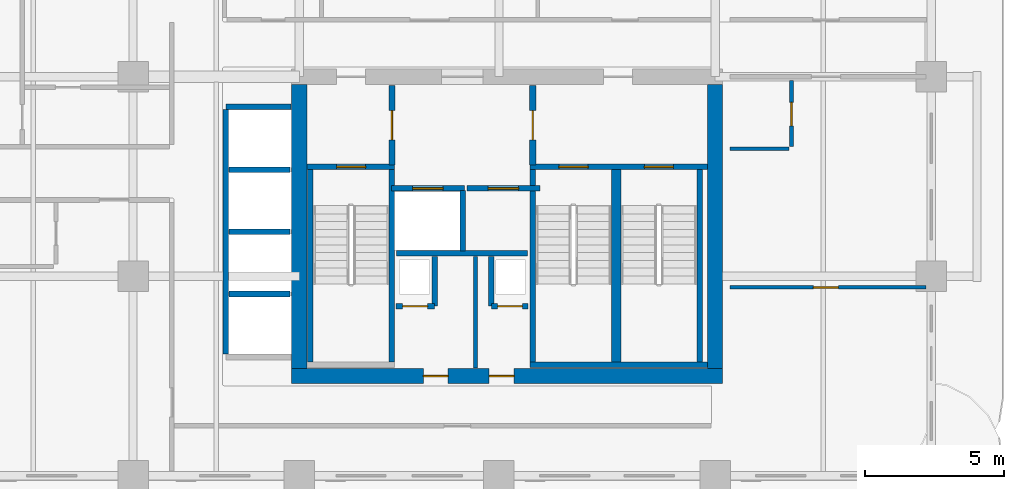
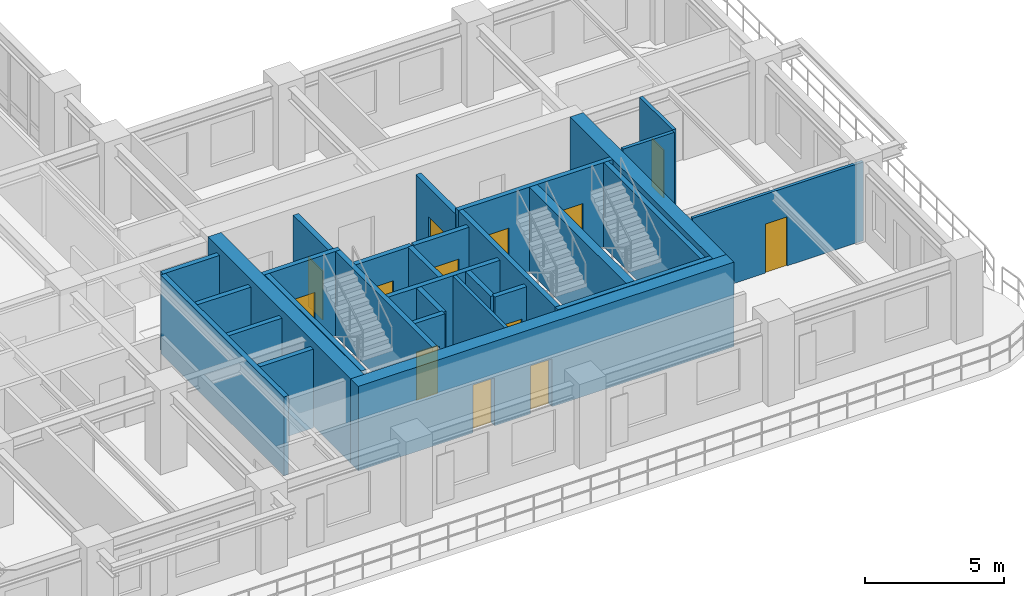
# One storey, part 14 of 22: 30 walls, 13 doors, 13 openings.
"""IFC4 building model written with IfcOpenShell, lengths in metres."""

from ifc_helpers import new_model, si_unit, derived_unit, direction, frame, frame_2d, origin, place, context, subcontext, project, spatial, rectangle, extrude, source, transform, mapped, material, layer, layer_set, type_object, type_shapes, element, fill, save


model = new_model("IFC4")

# Units and contexts
model_context = context("Model", 3, precision=1e-05, world=origin(), true_north=direction((0.0, 1.0)))
body_context = subcontext(model_context, "Body", "Model", "MODEL_VIEW")
ifc_project = project(units=[si_unit("LENGTHUNIT", "METRE"), si_unit("AREAUNIT", "SQUARE_METRE"), si_unit("VOLUMEUNIT", "CUBIC_METRE"), si_unit("PLANEANGLEUNIT", "RADIAN"), si_unit("MASSUNIT", "GRAM", prefix="KILO"), si_unit("THERMODYNAMICTEMPERATUREUNIT", "KELVIN"), si_unit("POWERUNIT", "WATT"), derived_unit("THERMALTRANSMITTANCEUNIT", [(si_unit("POWERUNIT", "WATT"), 1), (si_unit("AREAUNIT", "SQUARE_METRE"), -1), (si_unit("THERMODYNAMICTEMPERATUREUNIT", "KELVIN"), -1)])], contexts=[model_context])

# Site, building, storey
site_placement = place(None, origin())
site = spatial("IfcSite", under=ifc_project, at=site_placement, CompositionType="ELEMENT")
building_placement = place(site_placement, origin())
building = spatial("IfcBuilding", under=site, at=building_placement, Name="Zahravan Archway Hotel and Residences", CompositionType="ELEMENT")
storey_placement = place(building_placement, frame((0.0, 0.0, 84.199951171875)))
storey = spatial("IfcBuildingStorey", under=building, at=storey_placement, Name="L20", CompositionType="ELEMENT", Elevation=84.199951171875)

# Wall, openings, doors
ifc_material_1 = material(Name="Concrete C70/85", Category="concrete")
ifc_layer_1 = layer(ifc_material_1, 0.550048828125, Name="Concrete C70/85", Category="concrete")
ifc_layer_set_1 = layer_set([ifc_layer_1], Name="Concrete C70/85")
wall_type_1 = type_object("IfcWallType", Name="CW-CORE-550", PredefinedType="SHEAR", material=ifc_layer_set_1)
wall_1_placement = place(storey_placement, frame((34.52490234375, 3.60009765625, 0.0), z_axis=(0.0, 0.0, 1.0), x_axis=(1.0, 0.0, 0.0)))
wall_1 = element("IfcWall", 1, at=wall_1_placement, inside=storey, type_object=wall_type_1, Name="L20 Core A Shear S Wall 550 mm", PredefinedType="SHEAR", context=body_context, shape_type="SweptSolid", body=[
    extrude(rectangle(XDim=15.550048828125, YDim=0.550048828125, at=frame_2d((7.77490234375, 0.0))), origin(), (0.0, 0.0, 1.0), 3.699951171875),
])
opening_1_placement = place(wall_1_placement, frame((4.7451171875, 0.0, 0.0)))
opening_1 = element("IfcOpeningElement", 2, at=opening_1_placement, cuts=wall_1, Name="Opening FD-R1", PredefinedType="OPENING", context=body_context, shape_type="SweptSolid", body=[
    extrude(rectangle(XDim=0.89990234375, YDim=2.10009765625, at=frame_2d((0.449951171875, 1.050048828125))), frame((0.0, 0.28515625, 0.0), z_axis=(0.0, -1.0, 0.0), x_axis=(1.0, 0.0, 0.0)), (0.0, 0.0, 1.0), 0.570068359375),
])
opening_2_placement = place(wall_1_placement, frame((7.125, 0.0, 0.0)))
opening_2 = element("IfcOpeningElement", 3, at=opening_2_placement, cuts=wall_1, Name="Opening FD-R1", PredefinedType="OPENING", context=body_context, shape_type="SweptSolid", body=[
    extrude(rectangle(XDim=0.89990234375, YDim=2.10009765625, at=frame_2d((0.449951171875, 1.050048828125))), frame((0.0, 0.28515625, 0.0), z_axis=(0.0, -1.0, 0.0), x_axis=(1.0, 0.0, 0.0)), (0.0, 0.0, 1.0), 0.570068359375),
])
ifc_material_2 = material(Name="Fire-Rated Painted Steel", Category="steel")
door_type_1 = type_object("IfcDoorType", Name="FD-RISER-900", OperationType="NOTDEFINED", PredefinedType="DOOR", material=ifc_material_2)
shared_shape_1 = source(origin(), body_context, "Body", "SweptSolid", [
    extrude(rectangle(XDim=0.89990234375, YDim=2.10009765625, at=frame_2d((0.449951171875, 1.050048828125))), frame((0.0, 0.02490234375, 0.0), z_axis=(0.0, -1.0, 0.0), x_axis=(1.0, 0.0, 0.0)), (0.0, 0.0, 1.0), 0.050048828125),
])
type_shapes(door_type_1, [shared_shape_1])
door_1_placement = place(opening_1_placement, origin())
door_1 = element("IfcDoor", 4, at=door_1_placement, inside=storey, type_object=door_type_1, Name="L20 Fan Room Door", OperationType="SINGLE_SWING_LEFT", OverallHeight=2.10009765625, OverallWidth=0.89990234375, PredefinedType="DOOR", context=body_context, shape_type="MappedRepresentation", body=[
    mapped(shared_shape_1, transform((0.0, 0.0, 0.0), scale=1.0)),
])
fill(opening_1, door_1)
door_2_placement = place(opening_2_placement, origin())
door_2 = element("IfcDoor", 5, at=door_2_placement, inside=storey, type_object=door_type_1, Name="L20 Sub-Meter Cupboard Door", OperationType="SINGLE_SWING_RIGHT", OverallHeight=2.10009765625, OverallWidth=0.89990234375, PredefinedType="DOOR", context=body_context, shape_type="MappedRepresentation", body=[
    mapped(shared_shape_1, transform((0.0, 0.0, 0.0), scale=1.0)),
])
fill(opening_2, door_2)

# Walls
for number, where, z_axis, x_axis, name in (
    (6, (34.800048828125, 3.875, 0.0), (0.0, 0.0, 1.0), (0.0, 1.0, 0.0), "L20 Core A Shear W Wall 550 mm"),
    (7, (49.800048828125, 3.875, 0.0), (0.0, 0.0, 1.0), (0.0, 1.0, 0.0), "L20 Core A Shear E Wall 550 mm"),
):
    element("IfcWall", number, at=place(storey_placement, frame(where, z_axis=z_axis, x_axis=x_axis)), inside=storey, type_object=wall_type_1, Name=name, PredefinedType="SHEAR", context=body_context, shape_type="SweptSolid", body=[
        extrude(rectangle(XDim=10.25, YDim=0.550048828125, at=frame_2d((5.125, 0.0))), origin(), (0.0, 0.0, 1.0), 3.699951171875),
    ])

# Wall, opening, door
ifc_material_3 = material(Name="Fire-Rated Gypsum & Concrete Block", Category="concrete")
ifc_layer_2 = layer(ifc_material_3, 0.219970703125, Name="Fire-Rated Gypsum & Concrete Block", Category="concrete")
ifc_layer_set_2 = layer_set([ifc_layer_2], Name="Fire-Rated Gypsum & Concrete Block")
wall_type_2 = type_object("IfcWallType", Name="PW-COMP-220", PredefinedType="PARTITIONING", material=ifc_layer_set_2)
wall_2_placement = place(storey_placement, frame((38.139892578125, 11.219970703125, 0.0), z_axis=(0.0, 0.0, 1.0), x_axis=(0.0, 1.0, 0.0)))
wall_2 = element("IfcWall", 8, at=wall_2_placement, inside=storey, type_object=wall_type_2, Name="L20 Partition CA-LOBW", PredefinedType="PARTITIONING", context=body_context, shape_type="SweptSolid", body=[
    extrude(rectangle(XDim=2.860107421875, YDim=0.219970703125, at=frame_2d((1.43017578125, 0.0))), origin(), (0.0, 0.0, 1.0), 3.449951171875),
])
opening_3_placement = place(wall_2_placement, frame((0.905029296875, 0.0, 0.0)))
opening_3 = element("IfcOpeningElement", 9, at=opening_3_placement, cuts=wall_2, Name="Opening FD-L2", PredefinedType="OPENING", context=body_context, shape_type="SweptSolid", body=[
    extrude(rectangle(XDim=1.050048828125, YDim=2.14990234375, at=frame_2d((0.52490234375, 1.074951171875))), frame((0.0, 0.1201171875, 0.0), z_axis=(0.0, -1.0, 0.0), x_axis=(1.0, 0.0, 0.0)), (0.0, 0.0, 1.0), 0.239990234375),
])
door_type_2 = type_object("IfcDoorType", Name="FD-LOBBY-1100", OperationType="NOTDEFINED", PredefinedType="DOOR", material=ifc_material_2)
shared_shape_2 = source(origin(), body_context, "Body", "SweptSolid", [
    extrude(rectangle(XDim=1.050048828125, YDim=2.14990234375, at=frame_2d((0.52490234375, 1.074951171875))), frame((0.0, 0.02490234375, 0.0), z_axis=(0.0, -1.0, 0.0), x_axis=(1.0, 0.0, 0.0)), (0.0, 0.0, 1.0), 0.050048828125),
])
type_shapes(door_type_2, [shared_shape_2])
door_3_placement = place(opening_3_placement, origin())
door_3 = element("IfcDoor", 10, at=door_3_placement, inside=storey, type_object=door_type_2, Name="L20 Core A West Stair to FSAE Lobby Door", OperationType="SINGLE_SWING_LEFT", OverallHeight=2.14990234375, OverallWidth=1.050048828125, PredefinedType="DOOR", context=body_context, shape_type="MappedRepresentation", body=[
    mapped(shared_shape_2, transform((0.0, 0.0, 0.0), scale=1.0)),
])
fill(opening_3, door_3)

wall_3_placement = place(storey_placement, frame((43.219970703125, 11.219970703125, 0.0), z_axis=(0.0, 0.0, 1.0), x_axis=(0.0, 1.0, 0.0)))
wall_3 = element("IfcWall", 11, at=wall_3_placement, inside=storey, type_object=wall_type_2, Name="L20 Partition CA-LOBE", PredefinedType="PARTITIONING", context=body_context, shape_type="SweptSolid", body=[
    extrude(rectangle(XDim=2.860107421875, YDim=0.219970703125, at=frame_2d((1.43017578125, 0.0))), origin(), (0.0, 0.0, 1.0), 3.449951171875),
])
opening_4_placement = place(wall_3_placement, frame((0.905029296875, 0.0, 0.0)))
opening_4 = element("IfcOpeningElement", 12, at=opening_4_placement, cuts=wall_3, Name="Opening FD-L2", PredefinedType="OPENING", context=body_context, shape_type="SweptSolid", body=[
    extrude(rectangle(XDim=1.050048828125, YDim=2.14990234375, at=frame_2d((0.52490234375, 1.074951171875))), frame((0.0, 0.1201171875, 0.0), z_axis=(0.0, -1.0, 0.0), x_axis=(1.0, 0.0, 0.0)), (0.0, 0.0, 1.0), 0.239990234375),
])
door_4_placement = place(opening_4_placement, origin())
door_4 = element("IfcDoor", 13, at=door_4_placement, inside=storey, type_object=door_type_2, Name="L20 Core A East Stair to FSAE Lobby Door", OperationType="SINGLE_SWING_RIGHT", OverallHeight=2.14990234375, OverallWidth=1.050048828125, PredefinedType="DOOR", context=body_context, shape_type="MappedRepresentation", body=[
    mapped(shared_shape_2, transform((0.0, 0.0, 0.0), scale=1.0)),
])
fill(opening_4, door_4)

ifc_material_4 = material(Name="Acoustic Stud Partition")
ifc_layer_3 = layer(ifc_material_4, 0.125, Name="Acoustic Stud Partition")
ifc_layer_set_3 = layer_set([ifc_layer_3], Name="Acoustic Stud Partition")
wall_type_3 = type_object("IfcWallType", Name="PW-INT-125", PredefinedType="PARTITIONING", material=ifc_layer_set_3)
wall_4_placement = place(storey_placement, frame((50.340087890625, 6.800048828125, 0.0), z_axis=(0.0, 0.0, 1.0), x_axis=(1.0, 0.0, 0.0)))
wall_4 = element("IfcWall", 14, at=wall_4_placement, inside=storey, type_object=wall_type_3, Name="L20 Partition EA-PM", PredefinedType="PARTITIONING", context=body_context, shape_type="SweptSolid", body=[
    extrude(rectangle(XDim=7.06982421875, YDim=0.125, at=frame_2d((3.534912109375, 0.0))), origin(), (0.0, 0.0, 1.0), 3.449951171875),
])
opening_5_placement = place(wall_4_placement, frame((3.010009765625, 0.0, 0.0)))
opening_5 = element("IfcOpeningElement", 15, at=opening_5_placement, cuts=wall_4, Name="Opening D-I2", PredefinedType="OPENING", context=body_context, shape_type="SweptSolid", body=[
    extrude(rectangle(XDim=0.89990234375, YDim=2.14990234375, at=frame_2d((0.449951171875, 1.074951171875))), frame((0.0, 0.072509765625, 0.0), z_axis=(0.0, -1.0, 0.0), x_axis=(1.0, 0.0, 0.0)), (0.0, 0.0, 1.0), 0.14501953125),
])
ifc_material_5 = material(Name="Hardwood Veneer Timber", Category="wood")
door_type_3 = type_object("IfcDoorType", Name="ID-INT-900", OperationType="NOTDEFINED", PredefinedType="DOOR", material=ifc_material_5)
shared_shape_3 = source(origin(), body_context, "Body", "SweptSolid", [
    extrude(rectangle(XDim=0.89990234375, YDim=2.14990234375, at=frame_2d((0.449951171875, 1.074951171875))), frame((0.0, 0.02490234375, 0.0), z_axis=(0.0, -1.0, 0.0), x_axis=(1.0, 0.0, 0.0)), (0.0, 0.0, 1.0), 0.050048828125),
])
type_shapes(door_type_3, [shared_shape_3])
door_5_placement = place(opening_5_placement, origin())
door_5 = element("IfcDoor", 16, at=door_5_placement, inside=storey, type_object=door_type_3, Name="L20 East Suite Bedroom Door", OperationType="SINGLE_SWING_LEFT", OverallHeight=2.14990234375, OverallWidth=0.89990234375, PredefinedType="DOOR", context=body_context, shape_type="MappedRepresentation", body=[
    mapped(shared_shape_3, transform((0.0, 0.0, 0.0), scale=1.0)),
])
fill(opening_5, door_5)

# Walls
ifc_layer_4 = layer(ifc_material_3, 0.199951171875, Name="Fire-Rated Gypsum & Concrete Block", Category="concrete")
ifc_layer_set_4 = layer_set([ifc_layer_4], Name="Fire-Rated Gypsum & Concrete Block")
wall_type_4 = type_object("IfcWallType", Name="PW-SHAFT-200", PredefinedType="PARTITIONING", material=ifc_layer_set_4)
wall_5_placement = place(storey_placement, frame((38.300048828125, 8.030029296875, 0.0), z_axis=(0.0, 0.0, 1.0), x_axis=(1.0, 0.0, 0.0)))
element("IfcWall", 17, at=wall_5_placement, inside=storey, type_object=wall_type_4, Name="L20 Partition CA-FLS", PredefinedType="PARTITIONING", context=body_context, shape_type="SweptSolid", body=[
    extrude(rectangle(XDim=4.739990234375, YDim=0.199951171875, at=frame_2d((2.3701171875, 0.0))), origin(), (0.0, 0.0, 1.0), 3.449951171875),
])
wall_6_placement = place(storey_placement, frame((40.699951171875, 8.1201171875, 0.0), z_axis=(0.0, 0.0, 1.0), x_axis=(0.0, 1.0, 0.0)))
element("IfcWall", 18, at=wall_6_placement, inside=storey, type_object=wall_type_4, Name="L20 Partition CA-FLM", PredefinedType="PARTITIONING", context=body_context, shape_type="SweptSolid", body=[
    extrude(rectangle(XDim=2.179931640625, YDim=0.199951171875, at=frame_2d((1.08984375, 0.0))), origin(), (0.0, 0.0, 1.0), 3.449951171875),
])

# Wall, opening, door
wall_7_placement = place(storey_placement, frame((38.2900390625, 6.1201171875, 0.0), z_axis=(0.0, 0.0, 1.0), x_axis=(1.0, 0.0, 0.0)))
wall_7 = element("IfcWall", 19, at=wall_7_placement, inside=storey, type_object=wall_type_4, Name="L20 Partition CA-SMKS", PredefinedType="PARTITIONING", context=body_context, shape_type="SweptSolid", body=[
    extrude(rectangle(XDim=1.3798828125, YDim=0.199951171875, at=frame_2d((0.68994140625, 0.0))), origin(), (0.0, 0.0, 1.0), 3.449951171875),
])
opening_6_placement = place(wall_7_placement, frame((0.239990234375, 0.0, 0.0)))
opening_6 = element("IfcOpeningElement", 20, at=opening_6_placement, cuts=wall_7, Name="Opening FD-R1", PredefinedType="OPENING", context=body_context, shape_type="SweptSolid", body=[
    extrude(rectangle(XDim=0.89990234375, YDim=2.10009765625, at=frame_2d((0.449951171875, 1.050048828125))), frame((0.0, 0.10986328125, 0.0), z_axis=(0.0, -1.0, 0.0), x_axis=(1.0, 0.0, 0.0)), (0.0, 0.0, 1.0), 0.219970703125),
])
door_6_placement = place(opening_6_placement, origin())
door_6 = element("IfcDoor", 21, at=door_6_placement, inside=storey, type_object=door_type_1, Name="L20 Smoke Riser Access Door", OperationType="SINGLE_SWING_LEFT", OverallHeight=2.10009765625, OverallWidth=0.89990234375, PredefinedType="DOOR", context=body_context, shape_type="MappedRepresentation", body=[
    mapped(shared_shape_1, transform((0.0, 0.0, 0.0), scale=1.0)),
])
fill(opening_6, door_6)

# Wall
wall_8_placement = place(storey_placement, frame((39.679931640625, 6.1298828125, 0.0), z_axis=(0.0, 0.0, 1.0), x_axis=(0.0, 1.0, 0.0)))
element("IfcWall", 22, at=wall_8_placement, inside=storey, type_object=wall_type_4, Name="L20 Partition CA-SMKE", PredefinedType="PARTITIONING", context=body_context, shape_type="SweptSolid", body=[
    extrude(rectangle(XDim=1.7900390625, YDim=0.199951171875, at=frame_2d((0.89501953125, 0.0))), origin(), (0.0, 0.0, 1.0), 3.449951171875),
])

# Wall, opening, door
wall_9_placement = place(storey_placement, frame((41.72998046875, 6.1201171875, 0.0), z_axis=(0.0, 0.0, 1.0), x_axis=(1.0, 0.0, 0.0)))
wall_9 = element("IfcWall", 23, at=wall_9_placement, inside=storey, type_object=wall_type_4, Name="L20 Partition CA-MEPS", PredefinedType="PARTITIONING", context=body_context, shape_type="SweptSolid", body=[
    extrude(rectangle(XDim=1.320068359375, YDim=0.199951171875, at=frame_2d((0.66015625, 0.0))), origin(), (0.0, 0.0, 1.0), 3.449951171875),
])
opening_7_placement = place(wall_9_placement, frame((0.219970703125, 0.0, 0.0)))
opening_7 = element("IfcOpeningElement", 24, at=opening_7_placement, cuts=wall_9, Name="Opening FD-R1", PredefinedType="OPENING", context=body_context, shape_type="SweptSolid", body=[
    extrude(rectangle(XDim=0.89990234375, YDim=2.10009765625, at=frame_2d((0.449951171875, 1.050048828125))), frame((0.0, 0.10986328125, 0.0), z_axis=(0.0, -1.0, 0.0), x_axis=(1.0, 0.0, 0.0)), (0.0, 0.0, 1.0), 0.219970703125),
])
door_7_placement = place(opening_7_placement, origin())
door_7 = element("IfcDoor", 25, at=door_7_placement, inside=storey, type_object=door_type_1, Name="L20 MEP Riser Access Door", OperationType="SINGLE_SWING_RIGHT", OverallHeight=2.10009765625, OverallWidth=0.89990234375, PredefinedType="DOOR", context=body_context, shape_type="MappedRepresentation", body=[
    mapped(shared_shape_1, transform((0.0, 0.0, 0.0), scale=1.0)),
])
fill(opening_7, door_7)

# Walls
wall_10_placement = place(storey_placement, frame((41.719970703125, 6.1298828125, 0.0), z_axis=(0.0, 0.0, 1.0), x_axis=(0.0, 1.0, 0.0)))
element("IfcWall", 26, at=wall_10_placement, inside=storey, type_object=wall_type_4, Name="L20 Partition CA-MEPW", PredefinedType="PARTITIONING", context=body_context, shape_type="SweptSolid", body=[
    extrude(rectangle(XDim=1.7900390625, YDim=0.199951171875, at=frame_2d((0.89501953125, 0.0))), origin(), (0.0, 0.0, 1.0), 3.449951171875),
])
wall_11_placement = place(storey_placement, frame((32.159912109375, 13.320068359375, 0.0), z_axis=(0.0, 0.0, 1.0), x_axis=(1.0, 0.0, 0.0)))
element("IfcWall", 27, at=wall_11_placement, inside=storey, type_object=wall_type_4, Name="L20 Partition B3-N", PredefinedType="PARTITIONING", context=body_context, shape_type="SweptSolid", body=[
    extrude(rectangle(XDim=2.335205078125, YDim=0.199951171875, at=frame_2d((1.16748046875, 0.0))), origin(), (0.0, 0.0, 1.0), 3.449951171875),
])
wall_12_placement = place(storey_placement, frame((32.14990234375, 4.389892578125, 0.0), z_axis=(0.0, 0.0, 1.0), x_axis=(0.0, 1.0, 0.0)))
element("IfcWall", 28, at=wall_12_placement, inside=storey, type_object=wall_type_4, Name="L20 Partition B3-W", PredefinedType="PARTITIONING", context=body_context, shape_type="SweptSolid", body=[
    extrude(rectangle(XDim=8.820068359375, YDim=0.199951171875, at=frame_2d((4.41015625, 0.0))), origin(), (0.0, 0.0, 1.0), 3.449951171875),
])
for number, where, z_axis, x_axis, name in (
    (29, (32.260009765625, 6.56005859375, 0.0), (0.0, 0.0, 1.0), (1.0, 0.0, 0.0), "L20 Partition B3-D"),
    (30, (32.260009765625, 8.800048828125, 0.0), (0.0, 0.0, 1.0), (1.0, 0.0, 0.0), "L20 Partition B3-D"),
    (31, (32.260009765625, 11.0400390625, 0.0), (0.0, 0.0, 1.0), (1.0, 0.0, 0.0), "L20 Partition B3-D"),
):
    element("IfcWall", number, at=place(storey_placement, frame(where, z_axis=z_axis, x_axis=x_axis)), inside=storey, type_object=wall_type_4, Name=name, PredefinedType="PARTITIONING", context=body_context, shape_type="SweptSolid", body=[
        extrude(rectangle(XDim=2.205078125, YDim=0.199951171875, at=frame_2d((1.1025390625, 0.0))), origin(), (0.0, 0.0, 1.0), 3.449951171875),
    ])

# Wall, opening, door
wall_13_placement = place(storey_placement, frame((38.1201171875, 10.3701171875, 0.0), z_axis=(0.0, 0.0, 1.0), x_axis=(1.0, 0.0, 0.0)))
wall_13 = element("IfcWall", 32, at=wall_13_placement, inside=storey, type_object=wall_type_4, Name="L20 Lift FL-1 Front Wall", PredefinedType="PARTITIONING", context=body_context, shape_type="SweptSolid", body=[
    extrude(rectangle(XDim=2.639892578125, YDim=0.199951171875, at=frame_2d((1.31982421875, 0.0))), origin(), (0.0, 0.0, 1.0), 3.449951171875),
])
opening_8_placement = place(wall_13_placement, frame((0.77001953125, 0.0, 0.0)))
opening_8 = element("IfcOpeningElement", 33, at=opening_8_placement, cuts=wall_13, Name="Opening LD", PredefinedType="OPENING", context=body_context, shape_type="SweptSolid", body=[
    extrude(rectangle(XDim=1.10009765625, YDim=2.199951171875, at=frame_2d((0.550048828125, 1.10009765625))), frame((0.0, 0.10986328125, 0.0), z_axis=(0.0, -1.0, 0.0), x_axis=(1.0, 0.0, 0.0)), (0.0, 0.0, 1.0), 0.219970703125),
])
ifc_material_6 = material(Name="Brushed Stainless Steel", Category="steel")
door_type_4 = type_object("IfcDoorType", Name="DR-LIFT-LD", OperationType="SLIDING_TO_LEFT", PredefinedType="DOOR", material=ifc_material_6)
shared_shape_4 = source(origin(), body_context, "Body", "SweptSolid", [
    extrude(rectangle(XDim=1.10009765625, YDim=2.199951171875, at=frame_2d((0.550048828125, 1.10009765625))), frame((0.0, 0.02490234375, 0.0), z_axis=(0.0, -1.0, 0.0), x_axis=(1.0, 0.0, 0.0)), (0.0, 0.0, 1.0), 0.050048828125),
])
type_shapes(door_type_4, [shared_shape_4])
door_8_placement = place(opening_8_placement, origin())
door_8 = element("IfcDoor", 34, at=door_8_placement, inside=storey, type_object=door_type_4, Name="L20 Lift FL-1 Sliding Landing Door", OperationType="SLIDING_TO_LEFT", OverallHeight=2.199951171875, OverallWidth=1.10009765625, PredefinedType="DOOR", context=body_context, shape_type="MappedRepresentation", body=[
    mapped(shared_shape_4, transform((0.0, 0.0, 0.0), scale=1.0)),
])
fill(opening_8, door_8)

wall_14_placement = place(storey_placement, frame((40.840087890625, 10.3701171875, 0.0), z_axis=(0.0, 0.0, 1.0), x_axis=(1.0, 0.0, 0.0)))
wall_14 = element("IfcWall", 35, at=wall_14_placement, inside=storey, type_object=wall_type_4, Name="L20 Lift FL-2 Front Wall", PredefinedType="PARTITIONING", context=body_context, shape_type="SweptSolid", body=[
    extrude(rectangle(XDim=2.639892578125, YDim=0.199951171875, at=frame_2d((1.31982421875, 0.0))), origin(), (0.0, 0.0, 1.0), 3.449951171875),
])
opening_9_placement = place(wall_14_placement, frame((0.77001953125, 0.0, 0.0)))
opening_9 = element("IfcOpeningElement", 36, at=opening_9_placement, cuts=wall_14, Name="Opening LD", PredefinedType="OPENING", context=body_context, shape_type="SweptSolid", body=[
    extrude(rectangle(XDim=1.10009765625, YDim=2.199951171875, at=frame_2d((0.550048828125, 1.10009765625))), frame((0.0, 0.10986328125, 0.0), z_axis=(0.0, -1.0, 0.0), x_axis=(1.0, 0.0, 0.0)), (0.0, 0.0, 1.0), 0.219970703125),
])
door_9_placement = place(opening_9_placement, origin())
door_9 = element("IfcDoor", 37, at=door_9_placement, inside=storey, type_object=door_type_4, Name="L20 Lift FL-2 Sliding Landing Door", OperationType="SLIDING_TO_LEFT", OverallHeight=2.199951171875, OverallWidth=1.10009765625, PredefinedType="DOOR", context=body_context, shape_type="MappedRepresentation", body=[
    mapped(shared_shape_4, transform((0.0, 0.0, 0.0), scale=1.0)),
])
fill(opening_9, door_9)

# Wall
ifc_material_7 = material(Name="Moisture-Resistant Blockwork", Category="masonry")
ifc_layer_5 = layer(ifc_material_7, 0.139892578125, Name="Moisture-Resistant Blockwork", Category="masonry")
ifc_layer_set_5 = layer_set([ifc_layer_5], Name="Moisture-Resistant Blockwork")
wall_type_5 = type_object("IfcWallType", Name="PW-WET-140", PredefinedType="PARTITIONING", material=ifc_layer_set_5)
wall_15_placement = place(storey_placement, frame((41.14990234375, 3.89501953125, 0.0), z_axis=(0.0, 0.0, 1.0), x_axis=(0.0, 1.0, 0.0)))
element("IfcWall", 38, at=wall_15_placement, inside=storey, type_object=wall_type_5, Name="L20 Partition CA-CV2V", PredefinedType="PARTITIONING", context=body_context, shape_type="SweptSolid", body=[
    extrude(rectangle(XDim=4.014892578125, YDim=0.139892578125, at=frame_2d((2.00732421875, 0.0))), origin(), (0.0, 0.0, 1.0), 3.449951171875),
])

# Wall, opening, door
wall_16_placement = place(storey_placement, frame((52.550048828125, 11.889892578125, 0.0), z_axis=(0.0, 0.0, 1.0), x_axis=(0.0, 1.0, 0.0)))
wall_16 = element("IfcWall", 39, at=wall_16_placement, inside=storey, type_object=wall_type_5, Name="L20 Partition EA-PBV", PredefinedType="PARTITIONING", context=body_context, shape_type="SweptSolid", body=[
    extrude(rectangle(XDim=2.3701171875, YDim=0.139892578125, at=frame_2d((1.18505859375, 0.0))), origin(), (0.0, 0.0, 1.0), 3.449951171875),
])
opening_10_placement = place(wall_16_placement, frame((0.735107421875, 0.0, 0.0)))
opening_10 = element("IfcOpeningElement", 40, at=opening_10_placement, cuts=wall_16, Name="Opening D-B1", PredefinedType="OPENING", context=body_context, shape_type="SweptSolid", body=[
    extrude(rectangle(XDim=0.85009765625, YDim=2.10009765625, at=frame_2d((0.425048828125, 1.050048828125))), frame((0.0, 0.080078125, 0.0), z_axis=(0.0, -1.0, 0.0), x_axis=(1.0, 0.0, 0.0)), (0.0, 0.0, 1.0), 0.159912109375),
])
door_type_5 = type_object("IfcDoorType", Name="ID-BATH-850", OperationType="NOTDEFINED", PredefinedType="DOOR", material=ifc_material_5)
shared_shape_5 = source(origin(), body_context, "Body", "SweptSolid", [
    extrude(rectangle(XDim=0.85009765625, YDim=2.10009765625, at=frame_2d((0.425048828125, 1.050048828125))), frame((0.0, 0.02490234375, 0.0), z_axis=(0.0, -1.0, 0.0), x_axis=(1.0, 0.0, 0.0)), (0.0, 0.0, 1.0), 0.050048828125),
])
type_shapes(door_type_5, [shared_shape_5])
door_10_placement = place(opening_10_placement, origin())
door_10 = element("IfcDoor", 41, at=door_10_placement, inside=storey, type_object=door_type_5, Name="L20 East Suite En-Suite Door", OperationType="SINGLE_SWING_RIGHT", OverallHeight=2.10009765625, OverallWidth=0.85009765625, PredefinedType="DOOR", context=body_context, shape_type="MappedRepresentation", body=[
    mapped(shared_shape_5, transform((0.0, 0.0, 0.0), scale=1.0)),
])
fill(opening_10, door_10)

# Walls
wall_17_placement = place(storey_placement, frame((50.340087890625, 11.800048828125, 0.0), z_axis=(0.0, 0.0, 1.0), x_axis=(1.0, 0.0, 0.0)))
element("IfcWall", 42, at=wall_17_placement, inside=storey, type_object=wall_type_5, Name="L20 Partition EA-PBH", PredefinedType="PARTITIONING", context=body_context, shape_type="SweptSolid", body=[
    extrude(rectangle(XDim=2.119873046875, YDim=0.139892578125, at=frame_2d((1.06005859375, 0.0))), origin(), (0.0, 0.0, 1.0), 3.449951171875),
])
ifc_material_8 = material(Name="Concrete C50/60", Category="concrete")
ifc_layer_6 = layer(ifc_material_8, 0.199951171875, Name="Concrete C50/60", Category="concrete")
ifc_layer_set_6 = layer_set([ifc_layer_6], Name="Concrete C50/60")
wall_type_6 = type_object("IfcWallType", Name="SW-STAIR-200", PredefinedType="SHEAR", material=ifc_layer_set_6)
for number, where, z_axis, x_axis, name in (
    (43, (35.199951171875, 4.10009765625, 0.0), (0.0, 0.0, 1.0), (0.0, 1.0, 0.0), "L20 Stairwell RC Wall CA-SA1W"),
    (44, (38.139892578125, 4.10009765625, 0.0), (0.0, 0.0, 1.0), (0.0, 1.0, 0.0), "L20 Stairwell RC Wall CA-SA1E"),
):
    element("IfcWall", number, at=place(storey_placement, frame(where, z_axis=z_axis, x_axis=x_axis)), inside=storey, type_object=wall_type_6, Name=name, PredefinedType="SHEAR", context=body_context, shape_type="SweptSolid", body=[
        extrude(rectangle(XDim=6.949951171875, YDim=0.199951171875, at=frame_2d((3.47509765625, 0.0))), origin(), (0.0, 0.0, 1.0), 3.699951171875),
    ])

# Wall, opening, door
wall_18_placement = place(storey_placement, frame((35.074951171875, 11.14990234375, 0.0), z_axis=(0.0, 0.0, 1.0), x_axis=(1.0, 0.0, 0.0)))
wall_18 = element("IfcWall", 45, at=wall_18_placement, inside=storey, type_object=wall_type_6, Name="L20 Stairwell RC Wall CA-SA1N", PredefinedType="SHEAR", context=body_context, shape_type="SweptSolid", body=[
    extrude(rectangle(XDim=3.1650390625, YDim=0.199951171875, at=frame_2d((1.58251953125, 0.0))), origin(), (0.0, 0.0, 1.0), 3.699951171875),
])
opening_11_placement = place(wall_18_placement, frame((1.070068359375, 0.0, 0.0)))
opening_11 = element("IfcOpeningElement", 46, at=opening_11_placement, cuts=wall_18, Name="Opening FD-S1", PredefinedType="OPENING", context=body_context, shape_type="SweptSolid", body=[
    extrude(rectangle(XDim=1.050048828125, YDim=2.199951171875, at=frame_2d((0.52490234375, 1.10009765625))), frame((0.0, 0.10986328125, 0.0), z_axis=(0.0, -1.0, 0.0), x_axis=(1.0, 0.0, 0.0)), (0.0, 0.0, 1.0), 0.219970703125),
])
door_type_6 = type_object("IfcDoorType", Name="FD-STAIR-1100", OperationType="NOTDEFINED", PredefinedType="DOOR", material=ifc_material_2)
shared_shape_6 = source(origin(), body_context, "Body", "SweptSolid", [
    extrude(rectangle(XDim=1.050048828125, YDim=2.199951171875, at=frame_2d((0.52490234375, 1.10009765625))), frame((0.0, 0.02490234375, 0.0), z_axis=(0.0, -1.0, 0.0), x_axis=(1.0, 0.0, 0.0)), (0.0, 0.0, 1.0), 0.050048828125),
])
type_shapes(door_type_6, [shared_shape_6])
door_11_placement = place(opening_11_placement, origin())
door_11 = element("IfcDoor", 47, at=door_11_placement, inside=storey, type_object=door_type_6, Name="L20 Stair ST-A1 Door", OperationType="SINGLE_SWING_RIGHT", OverallHeight=2.199951171875, OverallWidth=1.050048828125, PredefinedType="DOOR", context=body_context, shape_type="MappedRepresentation", body=[
    mapped(shared_shape_6, transform((0.0, 0.0, 0.0), scale=1.0)),
])
fill(opening_11, door_11)

# Walls
wall_19_placement = place(storey_placement, frame((43.1201171875, 4.0, 0.0), z_axis=(0.0, 0.0, 1.0), x_axis=(1.0, 0.0, 0.0)))
element("IfcWall", 48, at=wall_19_placement, inside=storey, type_object=wall_type_6, Name="L20 Stairwell RC Wall CA-SA23S", PredefinedType="SHEAR", context=body_context, shape_type="SweptSolid", body=[
    extrude(rectangle(XDim=6.40478515625, YDim=0.199951171875, at=frame_2d((3.202392578125, 0.0))), origin(), (0.0, 0.0, 1.0), 3.699951171875),
])
for number, where, z_axis, x_axis, name in (
    (49, (43.219970703125, 4.10009765625, 0.0), (0.0, 0.0, 1.0), (0.0, 1.0, 0.0), "L20 Stairwell RC Wall CA-SA2W"),
    (50, (49.239990234375, 4.10009765625, 0.0), (0.0, 0.0, 1.0), (0.0, 1.0, 0.0), "L20 Stairwell RC Wall CA-SA3E"),
):
    element("IfcWall", number, at=place(storey_placement, frame(where, z_axis=z_axis, x_axis=x_axis)), inside=storey, type_object=wall_type_6, Name=name, PredefinedType="SHEAR", context=body_context, shape_type="SweptSolid", body=[
        extrude(rectangle(XDim=6.949951171875, YDim=0.199951171875, at=frame_2d((3.47509765625, 0.0))), origin(), (0.0, 0.0, 1.0), 3.699951171875),
    ])

# Wall, openings, doors
wall_20_placement = place(storey_placement, frame((43.1201171875, 11.14990234375, 0.0), z_axis=(0.0, 0.0, 1.0), x_axis=(1.0, 0.0, 0.0)))
wall_20 = element("IfcWall", 51, at=wall_20_placement, inside=storey, type_object=wall_type_6, Name="L20 Stairwell RC Wall CA-SA23N", PredefinedType="SHEAR", context=body_context, shape_type="SweptSolid", body=[
    extrude(rectangle(XDim=6.40478515625, YDim=0.199951171875, at=frame_2d((3.202392578125, 0.0))), origin(), (0.0, 0.0, 1.0), 3.699951171875),
])
opening_12_placement = place(wall_20_placement, frame((1.044921875, 0.0, 0.0)))
opening_12 = element("IfcOpeningElement", 52, at=opening_12_placement, cuts=wall_20, Name="Opening FD-S1", PredefinedType="OPENING", context=body_context, shape_type="SweptSolid", body=[
    extrude(rectangle(XDim=1.050048828125, YDim=2.199951171875, at=frame_2d((0.52490234375, 1.10009765625))), frame((0.0, 0.10986328125, 0.0), z_axis=(0.0, -1.0, 0.0), x_axis=(1.0, 0.0, 0.0)), (0.0, 0.0, 1.0), 0.219970703125),
])
opening_13_placement = place(wall_20_placement, frame((4.125, 0.0, 0.0)))
opening_13 = element("IfcOpeningElement", 53, at=opening_13_placement, cuts=wall_20, Name="Opening FD-S1", PredefinedType="OPENING", context=body_context, shape_type="SweptSolid", body=[
    extrude(rectangle(XDim=1.050048828125, YDim=2.199951171875, at=frame_2d((0.52490234375, 1.10009765625))), frame((0.0, 0.10986328125, 0.0), z_axis=(0.0, -1.0, 0.0), x_axis=(1.0, 0.0, 0.0)), (0.0, 0.0, 1.0), 0.219970703125),
])
door_12_placement = place(opening_12_placement, origin())
door_12 = element("IfcDoor", 54, at=door_12_placement, inside=storey, type_object=door_type_6, Name="L20 Stair ST-A2 Door", OperationType="SINGLE_SWING_LEFT", OverallHeight=2.199951171875, OverallWidth=1.050048828125, PredefinedType="DOOR", context=body_context, shape_type="MappedRepresentation", body=[
    mapped(shared_shape_6, transform((0.0, 0.0, 0.0), scale=1.0)),
])
fill(opening_12, door_12)
door_13_placement = place(opening_13_placement, origin())
door_13 = element("IfcDoor", 55, at=door_13_placement, inside=storey, type_object=door_type_6, Name="L20 Stair ST-A3 Door", OperationType="SINGLE_SWING_RIGHT", OverallHeight=2.199951171875, OverallWidth=1.050048828125, PredefinedType="DOOR", context=body_context, shape_type="MappedRepresentation", body=[
    mapped(shared_shape_6, transform((0.0, 0.0, 0.0), scale=1.0)),
])
fill(opening_13, door_13)

# Wall
ifc_layer_7 = layer(ifc_material_8, 0.340087890625, Name="Concrete C50/60", Category="concrete")
ifc_layer_set_7 = layer_set([ifc_layer_7], Name="Concrete C50/60")
wall_type_7 = type_object("IfcWallType", Name="SW-STAIR-340", PredefinedType="SHEAR", material=ifc_layer_set_7)
wall_21_placement = place(storey_placement, frame((46.22998046875, 4.10009765625, 0.0), z_axis=(0.0, 0.0, 1.0), x_axis=(0.0, 1.0, 0.0)))
element("IfcWall", 56, at=wall_21_placement, inside=storey, type_object=wall_type_7, Name="L20 Stairwell RC Wall CA-SA23M", PredefinedType="SHEAR", context=body_context, shape_type="SweptSolid", body=[
    extrude(rectangle(XDim=6.949951171875, YDim=0.340087890625, at=frame_2d((3.47509765625, 0.0))), origin(), (0.0, 0.0, 1.0), 3.699951171875),
])

save(model, "model.ifc")
